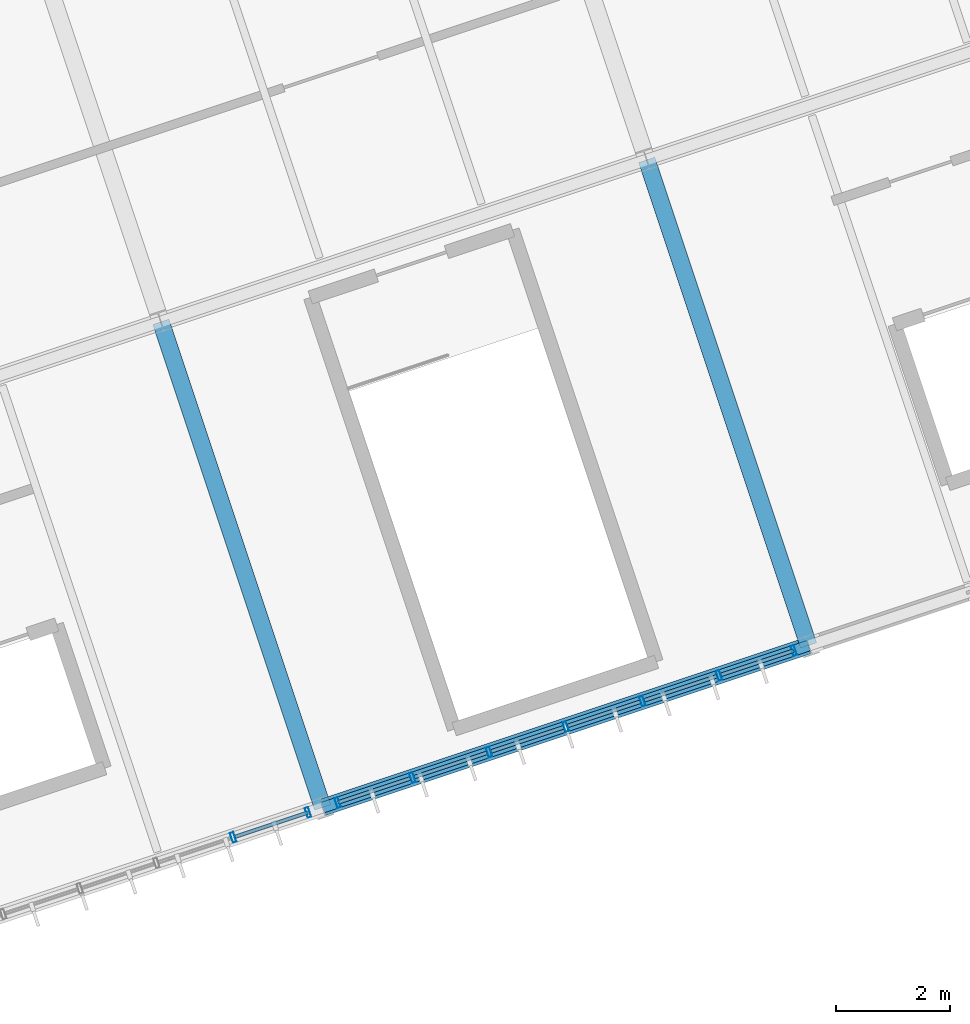
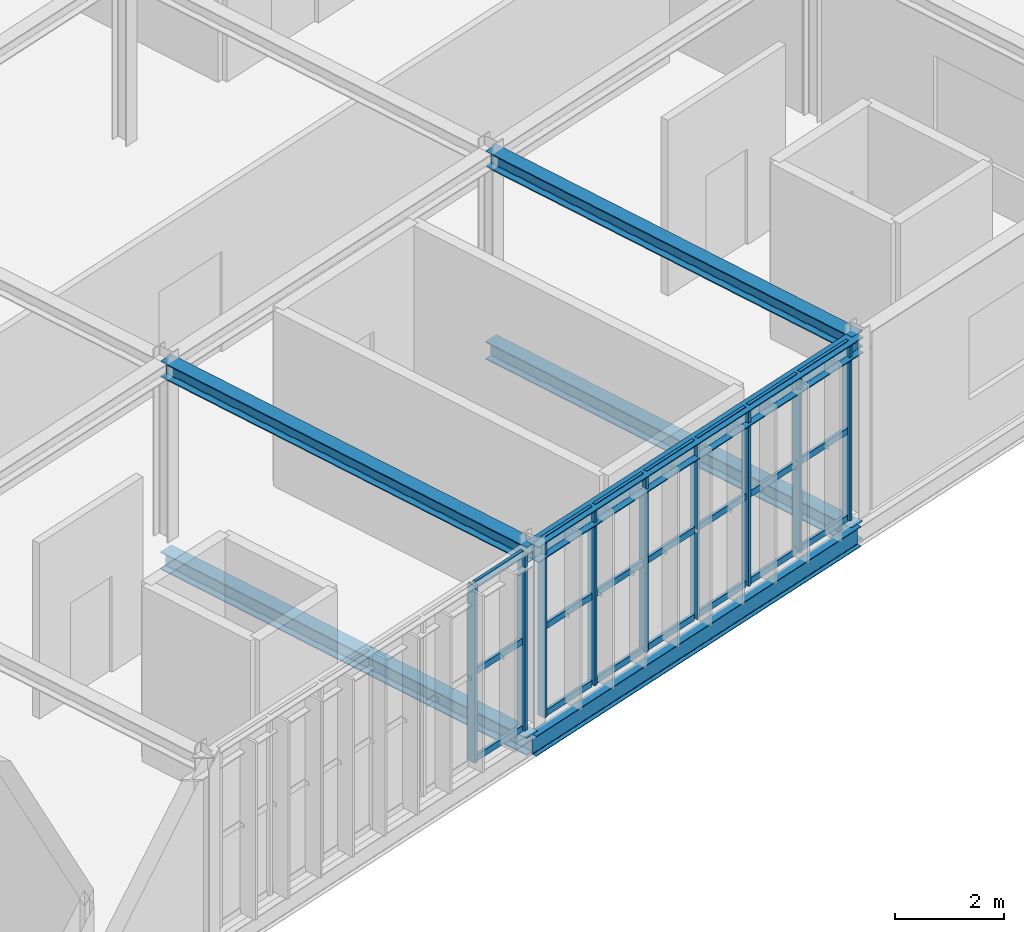
# One storey, part 17 of 61: 30 members, 6 beams, 2 elements without a shape of their own.
"""IFC4 building model written with IfcOpenShell, lengths in metres."""

from ifc_helpers import new_model, si_unit, derived_unit, direction, frame, origin, origin_2d, place, context, subcontext, project, spatial, hollow_rectangle, i_section, extrude, material, material_profile, profile_set, type_object, element, aggregate, save


model = new_model("IFC4")

# Units and contexts
model_context = context("Model", 3, precision=1e-05, world=origin(), true_north=direction((0.0, 1.0)))
body_context = subcontext(model_context, "Body", "Model", "MODEL_VIEW")
ifc_project = project(units=[si_unit("LENGTHUNIT", "METRE"), si_unit("AREAUNIT", "SQUARE_METRE"), si_unit("VOLUMEUNIT", "CUBIC_METRE"), si_unit("PLANEANGLEUNIT", "RADIAN"), si_unit("MASSUNIT", "GRAM", prefix="KILO"), si_unit("THERMODYNAMICTEMPERATUREUNIT", "KELVIN"), si_unit("TIMEUNIT", "SECOND"), derived_unit("THERMALTRANSMITTANCEUNIT", [(si_unit("MASSUNIT", "GRAM", prefix="KILO"), 1), (si_unit("THERMODYNAMICTEMPERATUREUNIT", "KELVIN"), -1), (si_unit("TIMEUNIT", "SECOND"), -3)])], contexts=[model_context])

# Site, building, storey
site_placement = place(None, origin())
site = spatial("IfcSite", under=ifc_project, at=site_placement, CompositionType="ELEMENT")
building_placement = place(site_placement, origin())
building = spatial("IfcBuilding", under=site, at=building_placement, Name="Cambertide Market Hall", CompositionType="ELEMENT")
storey_placement = place(building_placement, frame((0.0, 0.0, 9.89990234375)))
storey = spatial("IfcBuildingStorey", under=building, at=storey_placement, Name="L03", CompositionType="ELEMENT", Elevation=9.89990234375)

# Curtain wall, members
ifc_material_1 = material(Name="Marine Anodized Aluminium 6063-T6 AA25", Category="aluminium")
curtain_wall_type = type_object("IfcCurtainWallType", Name="Tasting Hall Panorama Curtain Wall", PredefinedType="USERDEFINED", material=ifc_material_1)
curtain_wall_1_placement = place(storey_placement, origin())
curtain_wall_1 = element("IfcCurtainWall", 1, at=curtain_wall_1_placement, inside=storey, type_object=curtain_wall_type, Name="Level 3 Curtain Wall CW-V3S-L03-3", ObjectType="UNITIZED CURTAIN WALL", PredefinedType="USERDEFINED")
ifc_material_2 = material(Name="Champagne Marine Anodized Aluminium 6063-T6 AA25", Category="aluminium")
ifc_material_profile_1 = material_profile(ifc_material_2, hollow_rectangle(XDim=0.06494140625, YDim=0.179931640625, WallThickness=0.00390625, at=origin_2d()), Name="ALU MULLION 65x180")
ifc_profile_set_1 = profile_set([ifc_material_profile_1], Name="Champagne Marine Anodized Aluminium 6063-T6 AA25")
member_type_1 = type_object("IfcMemberType", Name="Curtain Wall Mullion ALU MULLION 65x180", PredefinedType="MULLION", material=ifc_profile_set_1)
member_1_placement = place(storey_placement, frame((131.353515625, 20.451171875, 0.0), z_axis=(0.0, 0.0, 1.0), x_axis=(-0.948683286311, -0.316227801236, 0.0)))
member_1 = element("IfcMember", 2, at=member_1_placement, type_object=member_type_1, Name="CW-V3S-L03-3 Mullion 1", PredefinedType="MULLION", context=body_context, shape_type="SweptSolid", body=[
    extrude(hollow_rectangle(XDim=0.06494140625, YDim=0.179931640625, WallThickness=0.00390625, at=origin_2d()), origin(), (0.0, 0.0, 1.0), 3.97998046875),
])
member_2_placement = place(storey_placement, frame((130.03955078125, 20.01318359375, 0.0), z_axis=(0.0, 0.0, 1.0), x_axis=(-0.948683286311, -0.316227801236, 0.0)))
member_2 = element("IfcMember", 3, at=member_2_placement, type_object=member_type_1, Name="CW-V3S-L03-3 Mullion 2", PredefinedType="MULLION", context=body_context, shape_type="SweptSolid", body=[
    extrude(hollow_rectangle(XDim=0.06494140625, YDim=0.179931640625, WallThickness=0.00390625, at=origin_2d()), origin(), (0.0, 0.0, 1.0), 3.97998046875),
])

curtain_wall_2_placement = place(storey_placement, origin())
curtain_wall_2 = element("IfcCurtainWall", 4, at=curtain_wall_2_placement, inside=storey, type_object=curtain_wall_type, Name="Level 3 Curtain Wall CW-V3S-L03-4", ObjectType="UNITIZED CURTAIN WALL", PredefinedType="USERDEFINED")
member_3_placement = place(storey_placement, frame((139.8916015625, 23.297119140625, 0.0), z_axis=(0.0, 0.0, 1.0), x_axis=(-0.948683286311, -0.316227801236, 0.0)))
member_3 = element("IfcMember", 5, at=member_3_placement, type_object=member_type_1, Name="CW-V3S-L03-4 Mullion 1", PredefinedType="MULLION", context=body_context, shape_type="SweptSolid", body=[
    extrude(hollow_rectangle(XDim=0.06494140625, YDim=0.179931640625, WallThickness=0.00390625, at=origin_2d()), origin(), (0.0, 0.0, 1.0), 3.97998046875),
])
member_4_placement = place(storey_placement, frame((138.577880859375, 22.859375, 0.0), z_axis=(0.0, 0.0, 1.0), x_axis=(-0.948683286311, -0.316227801236, 0.0)))
member_4 = element("IfcMember", 6, at=member_4_placement, type_object=member_type_1, Name="CW-V3S-L03-4 Mullion 2", PredefinedType="MULLION", context=body_context, shape_type="SweptSolid", body=[
    extrude(hollow_rectangle(XDim=0.06494140625, YDim=0.179931640625, WallThickness=0.00390625, at=origin_2d()), origin(), (0.0, 0.0, 1.0), 3.97998046875),
])
member_5_placement = place(storey_placement, frame((137.230712890625, 22.41015625, 0.0), z_axis=(0.0, 0.0, 1.0), x_axis=(-0.948683286311, -0.316227801236, 0.0)))
member_5 = element("IfcMember", 7, at=member_5_placement, type_object=member_type_1, Name="CW-V3S-L03-4 Mullion 3", PredefinedType="MULLION", context=body_context, shape_type="SweptSolid", body=[
    extrude(hollow_rectangle(XDim=0.06494140625, YDim=0.179931640625, WallThickness=0.00390625, at=origin_2d()), origin(), (0.0, 0.0, 1.0), 3.97998046875),
])
member_6_placement = place(storey_placement, frame((135.883544921875, 21.961181640625, 0.0), z_axis=(0.0, 0.0, 1.0), x_axis=(-0.948683286311, -0.316227801236, 0.0)))
member_6 = element("IfcMember", 8, at=member_6_placement, type_object=member_type_1, Name="CW-V3S-L03-4 Mullion 4", PredefinedType="MULLION", context=body_context, shape_type="SweptSolid", body=[
    extrude(hollow_rectangle(XDim=0.06494140625, YDim=0.179931640625, WallThickness=0.00390625, at=origin_2d()), origin(), (0.0, 0.0, 1.0), 3.97998046875),
])
member_7_placement = place(storey_placement, frame((134.536376953125, 21.51220703125, 0.0), z_axis=(0.0, 0.0, 1.0), x_axis=(-0.948683286311, -0.316227801236, 0.0)))
member_7 = element("IfcMember", 9, at=member_7_placement, type_object=member_type_1, Name="CW-V3S-L03-4 Mullion 5", PredefinedType="MULLION", context=body_context, shape_type="SweptSolid", body=[
    extrude(hollow_rectangle(XDim=0.06494140625, YDim=0.179931640625, WallThickness=0.00390625, at=origin_2d()), origin(), (0.0, 0.0, 1.0), 3.97998046875),
])
member_8_placement = place(storey_placement, frame((133.189208984375, 21.06298828125, 0.0), z_axis=(0.0, 0.0, 1.0), x_axis=(-0.948683286311, -0.316227801236, 0.0)))
member_8 = element("IfcMember", 10, at=member_8_placement, type_object=member_type_1, Name="CW-V3S-L03-4 Mullion 6", PredefinedType="MULLION", context=body_context, shape_type="SweptSolid", body=[
    extrude(hollow_rectangle(XDim=0.06494140625, YDim=0.179931640625, WallThickness=0.00390625, at=origin_2d()), origin(), (0.0, 0.0, 1.0), 3.97998046875),
])
member_9_placement = place(storey_placement, frame((131.875244140625, 20.625, 0.0), z_axis=(0.0, 0.0, 1.0), x_axis=(-0.948683286311, -0.316227801236, 0.0)))
member_9 = element("IfcMember", 11, at=member_9_placement, type_object=member_type_1, Name="CW-V3S-L03-4 Mullion 7", PredefinedType="MULLION", context=body_context, shape_type="SweptSolid", body=[
    extrude(hollow_rectangle(XDim=0.06494140625, YDim=0.179931640625, WallThickness=0.00390625, at=origin_2d()), origin(), (0.0, 0.0, 1.0), 3.97998046875),
])

# Member
ifc_material_3 = material(Name="Champagne Marine Anodized Aluminium 6063-T6 AA25", Category="aluminium")
ifc_material_profile_2 = material_profile(ifc_material_3, hollow_rectangle(XDim=0.06494140625, YDim=0.139892578125, WallThickness=0.00341796875, at=origin_2d()), Name="ALU TRANSOM 65x140")
ifc_profile_set_2 = profile_set([ifc_material_profile_2], Name="Champagne Marine Anodized Aluminium 6063-T6 AA25")
member_type_2 = type_object("IfcMemberType", Name="Curtain Wall Transom ALU TRANSOM 65x140", PredefinedType="USERDEFINED", material=ifc_profile_set_2)
member_10_placement = place(storey_placement, frame((131.348876953125, 20.44970703125, 0.03515625), z_axis=(-0.948665077442, -0.316282422593, 0.0), x_axis=(0.316282422593, -0.948665077442, 0.0)))
member_10 = element("IfcMember", 12, at=member_10_placement, type_object=member_type_2, Name="CW-V3S-L03-3 Transom 1-1", ObjectType="TRANSOM", PredefinedType="USERDEFINED", context=body_context, shape_type="SweptSolid", body=[
    extrude(hollow_rectangle(XDim=0.06494140625, YDim=0.139892578125, WallThickness=0.00341796875, at=origin_2d()), origin(), (0.0, 0.0, 1.0), 1.340087890625),
])

member_11_placement = place(storey_placement, frame((131.348876953125, 20.44970703125, 1.989990234375), z_axis=(-0.948665077442, -0.316282422593, 0.0), x_axis=(0.316282422593, -0.948665077442, 0.0)))
member_11 = element("IfcMember", 13, at=member_11_placement, type_object=member_type_2, Name="CW-V3S-L03-3 Transom 2-1", ObjectType="TRANSOM", PredefinedType="USERDEFINED", context=body_context, shape_type="SweptSolid", body=[
    extrude(hollow_rectangle(XDim=0.06494140625, YDim=0.139892578125, WallThickness=0.00341796875, at=origin_2d()), origin(), (0.0, 0.0, 1.0), 1.340087890625),
])

member_12_placement = place(storey_placement, frame((131.348876953125, 20.44970703125, 3.945068359375), z_axis=(-0.948665077442, -0.316282422593, 0.0), x_axis=(0.316282422593, -0.948665077442, 0.0)))
member_12 = element("IfcMember", 14, at=member_12_placement, type_object=member_type_2, Name="CW-V3S-L03-3 Transom 3-1", ObjectType="TRANSOM", PredefinedType="USERDEFINED", context=body_context, shape_type="SweptSolid", body=[
    extrude(hollow_rectangle(XDim=0.06494140625, YDim=0.139892578125, WallThickness=0.00341796875, at=origin_2d()), origin(), (0.0, 0.0, 1.0), 1.340087890625),
])

aggregate(curtain_wall_1, [member_1, member_2, member_10, member_11, member_12])

member_13_placement = place(storey_placement, frame((139.886962890625, 23.295654296875, 0.03515625), z_axis=(-0.948665077442, -0.316282422593, 0.0), x_axis=(0.316282422593, -0.948665077442, 0.0)))
member_13 = element("IfcMember", 15, at=member_13_placement, type_object=member_type_2, Name="CW-V3S-L03-4 Transom 1-1", ObjectType="TRANSOM", PredefinedType="USERDEFINED", context=body_context, shape_type="SweptSolid", body=[
    extrude(hollow_rectangle(XDim=0.06494140625, YDim=0.139892578125, WallThickness=0.00341796875, at=origin_2d()), origin(), (0.0, 0.0, 1.0), 1.340087890625),
])

member_14_placement = place(storey_placement, frame((138.539794921875, 22.8466796875, 0.03515625), z_axis=(-0.948665077442, -0.316282422593, 0.0), x_axis=(0.316282422593, -0.948665077442, 0.0)))
member_14 = element("IfcMember", 16, at=member_14_placement, type_object=member_type_2, Name="CW-V3S-L03-4 Transom 1-2", ObjectType="TRANSOM", PredefinedType="USERDEFINED", context=body_context, shape_type="SweptSolid", body=[
    extrude(hollow_rectangle(XDim=0.06494140625, YDim=0.139892578125, WallThickness=0.00341796875, at=origin_2d()), origin(), (0.0, 0.0, 1.0), 1.340087890625),
])

member_15_placement = place(storey_placement, frame((137.192626953125, 22.3974609375, 0.03515625), z_axis=(-0.948719731918, -0.316118443418, 0.0), x_axis=(0.316118443418, -0.948719731918, 0.0)))
member_15 = element("IfcMember", 17, at=member_15_placement, type_object=member_type_2, Name="CW-V3S-L03-4 Transom 1-3", ObjectType="TRANSOM", PredefinedType="USERDEFINED", context=body_context, shape_type="SweptSolid", body=[
    extrude(hollow_rectangle(XDim=0.06494140625, YDim=0.139892578125, WallThickness=0.00341796875, at=origin_2d()), origin(), (0.0, 0.0, 1.0), 1.33984375),
])

member_16_placement = place(storey_placement, frame((135.845458984375, 21.948486328125, 0.03515625), z_axis=(-0.948646847384, -0.316337097015, 0.0), x_axis=(0.316337097015, -0.948646847384, 0.0)))
member_16 = element("IfcMember", 18, at=member_16_placement, type_object=member_type_2, Name="CW-V3S-L03-4 Transom 1-4", ObjectType="TRANSOM", PredefinedType="USERDEFINED", context=body_context, shape_type="SweptSolid", body=[
    extrude(hollow_rectangle(XDim=0.06494140625, YDim=0.139892578125, WallThickness=0.00341796875, at=origin_2d()), origin(), (0.0, 0.0, 1.0), 1.33984375),
])

member_17_placement = place(storey_placement, frame((134.49853515625, 21.49951171875, 0.03515625), z_axis=(-0.948665077442, -0.316282422593, 0.0), x_axis=(0.316282422593, -0.948665077442, 0.0)))
member_17 = element("IfcMember", 19, at=member_17_placement, type_object=member_type_2, Name="CW-V3S-L03-4 Transom 1-5", ObjectType="TRANSOM", PredefinedType="USERDEFINED", context=body_context, shape_type="SweptSolid", body=[
    extrude(hollow_rectangle(XDim=0.06494140625, YDim=0.139892578125, WallThickness=0.00341796875, at=origin_2d()), origin(), (0.0, 0.0, 1.0), 1.340087890625),
])

member_18_placement = place(storey_placement, frame((133.1513671875, 21.050537109375, 0.03515625), z_axis=(-0.948665077442, -0.316282422593, 0.0), x_axis=(0.316282422593, -0.948665077442, 0.0)))
member_18 = element("IfcMember", 20, at=member_18_placement, type_object=member_type_2, Name="CW-V3S-L03-4 Transom 1-6", ObjectType="TRANSOM", PredefinedType="USERDEFINED", context=body_context, shape_type="SweptSolid", body=[
    extrude(hollow_rectangle(XDim=0.06494140625, YDim=0.139892578125, WallThickness=0.00341796875, at=origin_2d()), origin(), (0.0, 0.0, 1.0), 1.340087890625),
])

member_19_placement = place(storey_placement, frame((139.886962890625, 23.295654296875, 1.989990234375), z_axis=(-0.948665077442, -0.316282422593, 0.0), x_axis=(0.316282422593, -0.948665077442, 0.0)))
member_19 = element("IfcMember", 21, at=member_19_placement, type_object=member_type_2, Name="CW-V3S-L03-4 Transom 2-1", ObjectType="TRANSOM", PredefinedType="USERDEFINED", context=body_context, shape_type="SweptSolid", body=[
    extrude(hollow_rectangle(XDim=0.06494140625, YDim=0.139892578125, WallThickness=0.00341796875, at=origin_2d()), origin(), (0.0, 0.0, 1.0), 1.340087890625),
])

member_20_placement = place(storey_placement, frame((138.539794921875, 22.8466796875, 1.989990234375), z_axis=(-0.948665077442, -0.316282422593, 0.0), x_axis=(0.316282422593, -0.948665077442, 0.0)))
member_20 = element("IfcMember", 22, at=member_20_placement, type_object=member_type_2, Name="CW-V3S-L03-4 Transom 2-2", ObjectType="TRANSOM", PredefinedType="USERDEFINED", context=body_context, shape_type="SweptSolid", body=[
    extrude(hollow_rectangle(XDim=0.06494140625, YDim=0.139892578125, WallThickness=0.00341796875, at=origin_2d()), origin(), (0.0, 0.0, 1.0), 1.340087890625),
])

member_21_placement = place(storey_placement, frame((137.192626953125, 22.3974609375, 1.989990234375), z_axis=(-0.948719731918, -0.316118443418, 0.0), x_axis=(0.316118443418, -0.948719731918, 0.0)))
member_21 = element("IfcMember", 23, at=member_21_placement, type_object=member_type_2, Name="CW-V3S-L03-4 Transom 2-3", ObjectType="TRANSOM", PredefinedType="USERDEFINED", context=body_context, shape_type="SweptSolid", body=[
    extrude(hollow_rectangle(XDim=0.06494140625, YDim=0.139892578125, WallThickness=0.00341796875, at=origin_2d()), origin(), (0.0, 0.0, 1.0), 1.33984375),
])

member_22_placement = place(storey_placement, frame((135.845458984375, 21.948486328125, 1.989990234375), z_axis=(-0.948646847384, -0.316337097015, 0.0), x_axis=(0.316337097015, -0.948646847384, 0.0)))
member_22 = element("IfcMember", 24, at=member_22_placement, type_object=member_type_2, Name="CW-V3S-L03-4 Transom 2-4", ObjectType="TRANSOM", PredefinedType="USERDEFINED", context=body_context, shape_type="SweptSolid", body=[
    extrude(hollow_rectangle(XDim=0.06494140625, YDim=0.139892578125, WallThickness=0.00341796875, at=origin_2d()), origin(), (0.0, 0.0, 1.0), 1.33984375),
])

member_23_placement = place(storey_placement, frame((134.49853515625, 21.49951171875, 1.989990234375), z_axis=(-0.948665077442, -0.316282422593, 0.0), x_axis=(0.316282422593, -0.948665077442, 0.0)))
member_23 = element("IfcMember", 25, at=member_23_placement, type_object=member_type_2, Name="CW-V3S-L03-4 Transom 2-5", ObjectType="TRANSOM", PredefinedType="USERDEFINED", context=body_context, shape_type="SweptSolid", body=[
    extrude(hollow_rectangle(XDim=0.06494140625, YDim=0.139892578125, WallThickness=0.00341796875, at=origin_2d()), origin(), (0.0, 0.0, 1.0), 1.340087890625),
])

member_24_placement = place(storey_placement, frame((133.1513671875, 21.050537109375, 1.989990234375), z_axis=(-0.948665077442, -0.316282422593, 0.0), x_axis=(0.316282422593, -0.948665077442, 0.0)))
member_24 = element("IfcMember", 26, at=member_24_placement, type_object=member_type_2, Name="CW-V3S-L03-4 Transom 2-6", ObjectType="TRANSOM", PredefinedType="USERDEFINED", context=body_context, shape_type="SweptSolid", body=[
    extrude(hollow_rectangle(XDim=0.06494140625, YDim=0.139892578125, WallThickness=0.00341796875, at=origin_2d()), origin(), (0.0, 0.0, 1.0), 1.340087890625),
])

member_25_placement = place(storey_placement, frame((139.886962890625, 23.295654296875, 3.945068359375), z_axis=(-0.948665077442, -0.316282422593, 0.0), x_axis=(0.316282422593, -0.948665077442, 0.0)))
member_25 = element("IfcMember", 27, at=member_25_placement, type_object=member_type_2, Name="CW-V3S-L03-4 Transom 3-1", ObjectType="TRANSOM", PredefinedType="USERDEFINED", context=body_context, shape_type="SweptSolid", body=[
    extrude(hollow_rectangle(XDim=0.06494140625, YDim=0.139892578125, WallThickness=0.00341796875, at=origin_2d()), origin(), (0.0, 0.0, 1.0), 1.340087890625),
])

member_26_placement = place(storey_placement, frame((138.539794921875, 22.8466796875, 3.945068359375), z_axis=(-0.948665077442, -0.316282422593, 0.0), x_axis=(0.316282422593, -0.948665077442, 0.0)))
member_26 = element("IfcMember", 28, at=member_26_placement, type_object=member_type_2, Name="CW-V3S-L03-4 Transom 3-2", ObjectType="TRANSOM", PredefinedType="USERDEFINED", context=body_context, shape_type="SweptSolid", body=[
    extrude(hollow_rectangle(XDim=0.06494140625, YDim=0.139892578125, WallThickness=0.00341796875, at=origin_2d()), origin(), (0.0, 0.0, 1.0), 1.340087890625),
])

member_27_placement = place(storey_placement, frame((137.192626953125, 22.3974609375, 3.945068359375), z_axis=(-0.948719731918, -0.316118443418, 0.0), x_axis=(0.316118443418, -0.948719731918, 0.0)))
member_27 = element("IfcMember", 29, at=member_27_placement, type_object=member_type_2, Name="CW-V3S-L03-4 Transom 3-3", ObjectType="TRANSOM", PredefinedType="USERDEFINED", context=body_context, shape_type="SweptSolid", body=[
    extrude(hollow_rectangle(XDim=0.06494140625, YDim=0.139892578125, WallThickness=0.00341796875, at=origin_2d()), origin(), (0.0, 0.0, 1.0), 1.33984375),
])

member_28_placement = place(storey_placement, frame((135.845458984375, 21.948486328125, 3.945068359375), z_axis=(-0.948646847384, -0.316337097015, 0.0), x_axis=(0.316337097015, -0.948646847384, 0.0)))
member_28 = element("IfcMember", 30, at=member_28_placement, type_object=member_type_2, Name="CW-V3S-L03-4 Transom 3-4", ObjectType="TRANSOM", PredefinedType="USERDEFINED", context=body_context, shape_type="SweptSolid", body=[
    extrude(hollow_rectangle(XDim=0.06494140625, YDim=0.139892578125, WallThickness=0.00341796875, at=origin_2d()), origin(), (0.0, 0.0, 1.0), 1.33984375),
])

member_29_placement = place(storey_placement, frame((134.49853515625, 21.49951171875, 3.945068359375), z_axis=(-0.948665077442, -0.316282422593, 0.0), x_axis=(0.316282422593, -0.948665077442, 0.0)))
member_29 = element("IfcMember", 31, at=member_29_placement, type_object=member_type_2, Name="CW-V3S-L03-4 Transom 3-5", ObjectType="TRANSOM", PredefinedType="USERDEFINED", context=body_context, shape_type="SweptSolid", body=[
    extrude(hollow_rectangle(XDim=0.06494140625, YDim=0.139892578125, WallThickness=0.00341796875, at=origin_2d()), origin(), (0.0, 0.0, 1.0), 1.340087890625),
])

member_30_placement = place(storey_placement, frame((133.1513671875, 21.050537109375, 3.945068359375), z_axis=(-0.948665077442, -0.316282422593, 0.0), x_axis=(0.316282422593, -0.948665077442, 0.0)))
member_30 = element("IfcMember", 32, at=member_30_placement, type_object=member_type_2, Name="CW-V3S-L03-4 Transom 3-6", ObjectType="TRANSOM", PredefinedType="USERDEFINED", context=body_context, shape_type="SweptSolid", body=[
    extrude(hollow_rectangle(XDim=0.06494140625, YDim=0.139892578125, WallThickness=0.00341796875, at=origin_2d()), origin(), (0.0, 0.0, 1.0), 1.340087890625),
])

aggregate(curtain_wall_2, [member_3, member_4, member_5, member_6, member_7, member_8, member_9, member_13, member_14, member_15, member_16, member_17, member_18, member_19, member_20, member_21, member_22, member_23, member_24, member_25, member_26, member_27, member_28, member_29, member_30])

# Beams
ifc_material_4 = material(Name="Steel S355", Category="steel")
ifc_material_profile_3 = material_profile(ifc_material_4, i_section(OverallWidth=0.300048828125, OverallDepth=0.360107421875, WebThickness=0.012451171875, FlangeThickness=0.0224609375, FilletRadius=0.027099609375, at=origin_2d()), Name="HEB 360")
ifc_profile_set_3 = profile_set([ifc_material_profile_3], Name="Steel S355")
beam_type_1 = type_object("IfcBeamType", Name="Exterior Steel Girder HEB 360", PredefinedType="BEAM", material=ifc_profile_set_3)
beam_1_placement = place(storey_placement, frame((131.614501953125, 20.5380859375, 3.820068359375), z_axis=(0.948677872554, 0.31624404204, 0.0), x_axis=(-0.31624404204, 0.948677872554, 0.0)))
element("IfcBeam", 33, at=beam_1_placement, inside=storey, type_object=beam_type_1, Name="Level 3 Beam BM-V3U-RF-4-1", PredefinedType="BEAM", context=body_context, shape_type="SweptSolid", body=[
    extrude(i_section(OverallWidth=0.300048828125, OverallDepth=0.360107421875, WebThickness=0.012451171875, FlangeThickness=0.0224609375, FilletRadius=0.027099609375, at=origin_2d()), origin(), (0.0, 0.0, 1.0), 9.0),
])
beam_2_placement = place(storey_placement, frame((131.614501953125, 20.5380859375, 3.820068359375), z_axis=(-0.316235903831, 0.948680585407, 0.0), x_axis=(-0.948680585407, -0.316235903831, 0.0)))
element("IfcBeam", 34, at=beam_2_placement, inside=storey, type_object=beam_type_1, Name="Level 3 Beam BM-V3V-RF-4-1", PredefinedType="BEAM", context=body_context, shape_type="SweptSolid", body=[
    extrude(i_section(OverallWidth=0.300048828125, OverallDepth=0.360107421875, WebThickness=0.012451171875, FlangeThickness=0.0224609375, FilletRadius=0.027099609375, at=origin_2d()), origin(), (0.0, 0.0, 1.0), 9.000244140625),
])
beam_3_placement = place(storey_placement, frame((140.152587890625, 23.38427734375, 3.820068359375), z_axis=(-0.3162196279, 0.948686010717, 0.0), x_axis=(-0.948686010717, -0.3162196279, 0.0)))
element("IfcBeam", 35, at=beam_3_placement, inside=storey, type_object=beam_type_1, Name="Level 3 Beam BM-V3V-RF-5-1", PredefinedType="BEAM", context=body_context, shape_type="SweptSolid", body=[
    extrude(i_section(OverallWidth=0.300048828125, OverallDepth=0.360107421875, WebThickness=0.012451171875, FlangeThickness=0.0224609375, FilletRadius=0.027099609375, at=origin_2d()), origin(), (0.0, 0.0, 1.0), 9.0),
])
ifc_material_5 = material(Name="Steel S355", Category="steel")
ifc_material_profile_4 = material_profile(ifc_material_5, i_section(OverallWidth=0.18994140625, OverallDepth=0.449951171875, WebThickness=0.009521484375, FlangeThickness=0.0146484375, FilletRadius=0.02099609375, at=origin_2d()), Name="IPE 450")
ifc_profile_set_4 = profile_set([ifc_material_profile_4], Name="Steel S355")
beam_type_2 = type_object("IfcBeamType", Name="Perimeter Spandrel Beam IPE 450", PredefinedType="SPANDREL", material=ifc_profile_set_4)
beam_4_placement = place(storey_placement, frame((131.614501953125, 20.5380859375, -0.5), z_axis=(0.948677872554, 0.31624404204, 0.0), x_axis=(-0.31624404204, 0.948677872554, 0.0)))
element("IfcBeam", 36, at=beam_4_placement, inside=storey, type_object=beam_type_2, Name="Level 3 Spandrel BM-V3U-L03-4-1", PredefinedType="SPANDREL", context=body_context, shape_type="SweptSolid", body=[
    extrude(i_section(OverallWidth=0.18994140625, OverallDepth=0.449951171875, WebThickness=0.009521484375, FlangeThickness=0.0146484375, FilletRadius=0.02099609375, at=origin_2d()), origin(), (0.0, 0.0, 1.0), 9.0),
])
ifc_material_6 = material(Name="Steel S355", Category="steel")
ifc_material_profile_5 = material_profile(ifc_material_6, i_section(OverallWidth=0.300048828125, OverallDepth=0.39990234375, WebThickness=0.013427734375, FlangeThickness=0.02392578125, FilletRadius=0.027099609375, at=origin_2d()), Name="HEB 400")
ifc_profile_set_5 = profile_set([ifc_material_profile_5], Name="Steel S355")
beam_type_3 = type_object("IfcBeamType", Name="Steel Girder HEB 400", PredefinedType="BEAM", material=ifc_profile_set_5)
beam_5_placement = place(storey_placement, frame((131.614501953125, 20.5380859375, -0.474853515625), z_axis=(-0.316235903831, 0.948680585407, 0.0), x_axis=(-0.948680585407, -0.316235903831, 0.0)))
element("IfcBeam", 37, at=beam_5_placement, inside=storey, type_object=beam_type_3, Name="Level 3 Beam BM-V3V-L03-4-1", PredefinedType="BEAM", context=body_context, shape_type="SweptSolid", body=[
    extrude(i_section(OverallWidth=0.300048828125, OverallDepth=0.39990234375, WebThickness=0.013427734375, FlangeThickness=0.02392578125, FilletRadius=0.027099609375, at=origin_2d()), origin(), (0.0, 0.0, 1.0), 9.000244140625),
])
beam_6_placement = place(storey_placement, frame((140.152587890625, 23.38427734375, -0.474853515625), z_axis=(-0.3162196279, 0.948686010717, 0.0), x_axis=(-0.948686010717, -0.3162196279, 0.0)))
element("IfcBeam", 38, at=beam_6_placement, inside=storey, type_object=beam_type_3, Name="Level 3 Beam BM-V3V-L03-5-1", PredefinedType="BEAM", context=body_context, shape_type="SweptSolid", body=[
    extrude(i_section(OverallWidth=0.300048828125, OverallDepth=0.39990234375, WebThickness=0.013427734375, FlangeThickness=0.02392578125, FilletRadius=0.027099609375, at=origin_2d()), origin(), (0.0, 0.0, 1.0), 9.0),
])

save(model, "model.ifc")
